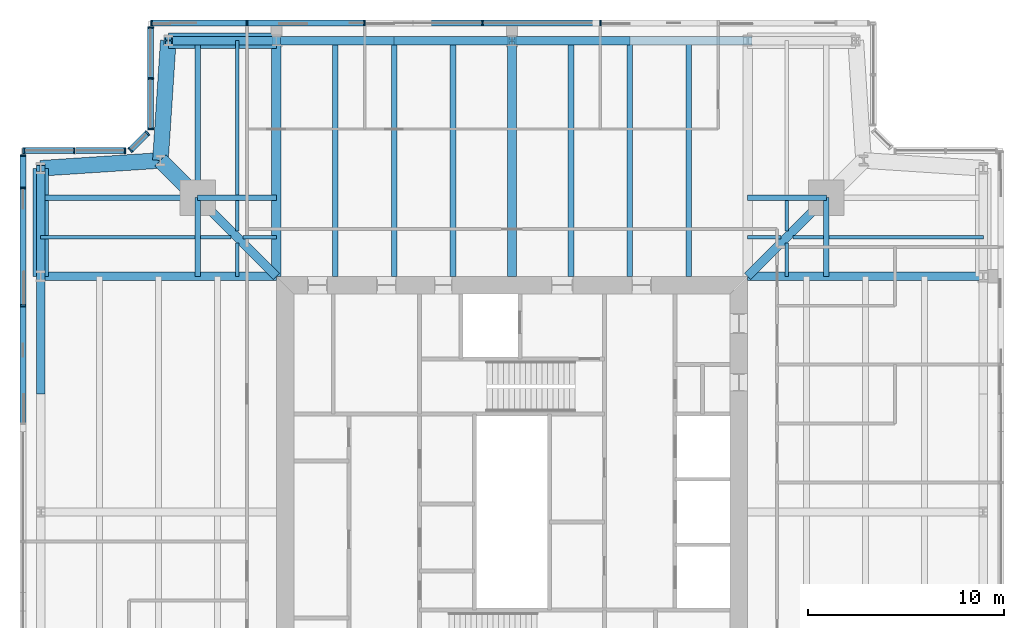
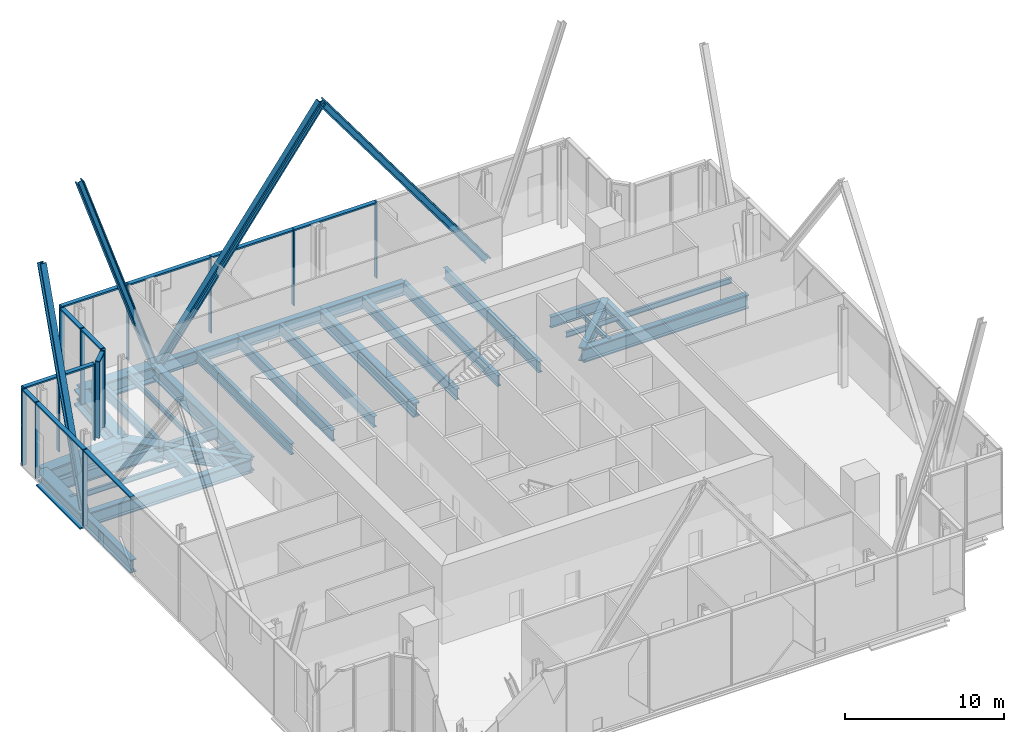
# One storey, part 5 of 20: 38 beams, 32 members, 5 elements without a shape of their own.
"""IFC4 building model written with IfcOpenShell, lengths in metres."""

from ifc_helpers import new_model, si_unit, direction, frame, origin, origin_2d, place, context, subcontext, project, spatial, rectangle, i_section, extrude, material, material_profile, profile_set, type_object, element, aggregate, save


model = new_model("IFC4")

# Units and contexts
model_context = context("Model", 3, precision=1e-05, world=origin(), true_north=direction((0.0, 1.0)))
body_context = subcontext(model_context, "Body", "Model", "MODEL_VIEW")
ifc_project = project(units=[si_unit("LENGTHUNIT", "METRE"), si_unit("AREAUNIT", "SQUARE_METRE"), si_unit("VOLUMEUNIT", "CUBIC_METRE"), si_unit("PLANEANGLEUNIT", "RADIAN"), si_unit("MASSUNIT", "GRAM", prefix="KILO")], contexts=[model_context])

# Site, building, storey
site_placement = place(None, origin())
site = spatial("IfcSite", under=ifc_project, at=site_placement, CompositionType="ELEMENT")
building_placement = place(site_placement, origin())
building = spatial("IfcBuilding", under=site, at=building_placement, Name="Fenwick Lantern Interchange", CompositionType="ELEMENT")
storey_placement = place(building_placement, frame((0.0, 0.0, 239.800048828125)))
storey = spatial("IfcBuildingStorey", under=building, at=storey_placement, Name="L56", CompositionType="ELEMENT", Elevation=239.800048828125)

# Members
ifc_material_1 = material(Name="Steel ASTM A992 Grade 50", Category="steel")
ifc_material_profile_1 = material_profile(ifc_material_1, i_section(OverallWidth=0.424072265625, OverallDepth=0.47509765625, WebThickness=0.0478515625, FlangeThickness=0.0771484375, at=origin_2d()), Name="W14X426")
ifc_profile_set_1 = profile_set([ifc_material_profile_1], Name="Steel ASTM A992 Grade 50")
member_type_1 = type_object("IfcMemberType", Name="FACADE BRACE W14X426", PredefinedType="BRACE", material=ifc_profile_set_1)
for number, where, z_axis, x_axis, name in (
    (1, (13.0, 49.0, -0.696533203125), (-0.31988030157, 0.0, 0.947457963536), (0.0, -1.0, 0.0), "L56/FB/N/BE"),
    (2, (1.0, 37.0, -0.696533203125), (0.0, 0.31988030157, 0.947457963536), (-1.0, 0.0, 0.0), "L56/FB/W/AE"),
):
    element("IfcMember", number, at=place(storey_placement, frame(where, z_axis=z_axis, x_axis=x_axis)), inside=storey, type_object=member_type_1, Name=name, PredefinedType="BRACE", context=body_context, shape_type="SweptSolid", body=[
        extrude(i_section(OverallWidth=0.424072265625, OverallDepth=0.47509765625, WebThickness=0.0478515625, FlangeThickness=0.0771484375, at=origin_2d()), origin(), (0.0, 0.0, 1.0), 17.19384765625),
    ])
ifc_material_profile_2 = material_profile(ifc_material_1, i_section(OverallWidth=0.44189453125, OverallDepth=0.53076171875, WebThickness=0.06591796875, FlangeThickness=0.105712890625, at=origin_2d()), Name="W14X605")
ifc_profile_set_2 = profile_set([ifc_material_profile_2], Name="Steel ASTM A992 Grade 50")
member_type_2 = type_object("IfcMemberType", Name="FACADE BRACE W14X605", PredefinedType="BRACE", material=ifc_profile_set_2)
for number, where, z_axis, x_axis, name in (
    (3, (37.0, 49.0, -0.696533203125), (-0.593085430779, 0.0, 0.805139535607), (0.0, -1.0, 0.0), "L56/FB/N/A"),
    (4, (13.0, 49.0, -0.696533203125), (0.593085430779, 0.0, 0.805139535607), (0.0, 1.0, 0.0), "L56/FB/N/B"),
):
    element("IfcMember", number, at=place(storey_placement, frame(where, z_axis=z_axis, x_axis=x_axis)), inside=storey, type_object=member_type_2, Name=name, PredefinedType="BRACE", context=body_context, shape_type="SweptSolid", body=[
        extrude(i_section(OverallWidth=0.44189453125, OverallDepth=0.53076171875, WebThickness=0.06591796875, FlangeThickness=0.105712890625, at=origin_2d()), origin(), (0.0, 0.0, 1.0), 20.233154296875),
    ])

# Beams
ifc_material_profile_3 = material_profile(ifc_material_1, i_section(OverallWidth=0.2919921875, OverallDepth=0.845703125, WebThickness=0.015380859375, FlangeThickness=0.0244140625, at=origin_2d()), Name="W33X141")
ifc_profile_set_3 = profile_set([ifc_material_profile_3], Name="Steel ASTM A992 Grade 50")
beam_type_1 = type_object("IfcBeamType", Name="FLOOR BEAM W33X141", PredefinedType="BEAM", material=ifc_profile_set_3)
for number, where, z_axis, x_axis, name in (
    (5, (34.0, 49.0, -0.623046875), (0.0, -1.0, 0.0), (1.0, 0.0, 0.0), "L56/FR/N/R02"),
    (6, (31.0, 49.0, -0.623046875), (0.0, -1.0, 0.0), (1.0, 0.0, 0.0), "L56/FR/N/R03"),
    (7, (28.0, 49.0, -0.623046875), (0.0, -1.0, 0.0), (1.0, 0.0, 0.0), "L56/FR/N/R04"),
    (8, (22.0, 49.0, -0.623046875), (0.0, -1.0, 0.0), (1.0, 0.0, 0.0), "L56/FR/N/R06"),
    (9, (19.0, 49.0, -0.623046875), (0.0, -1.0, 0.0), (1.0, 0.0, 0.0), "L56/FR/N/R07"),
    (10, (16.0, 49.0, -0.623046875), (0.0, -1.0, 0.0), (1.0, 0.0, 0.0), "L56/FR/N/R08"),
):
    element("IfcBeam", number, at=place(storey_placement, frame(where, z_axis=z_axis, x_axis=x_axis)), inside=storey, type_object=beam_type_1, Name=name, PredefinedType="BEAM", context=body_context, shape_type="SweptSolid", body=[
        extrude(i_section(OverallWidth=0.2919921875, OverallDepth=0.845703125, WebThickness=0.015380859375, FlangeThickness=0.0244140625, at=origin_2d()), origin(), (0.0, 0.0, 1.0), 12.0),
    ])
ifc_material_profile_4 = material_profile(ifc_material_1, i_section(OverallWidth=0.177734375, OverallDepth=0.406494140625, WebThickness=0.0078125, FlangeThickness=0.012939453125, at=origin_2d()), Name="W16X40")
ifc_profile_set_4 = profile_set([ifc_material_profile_4], Name="Steel ASTM A992 Grade 50")
beam_type_2 = type_object("IfcBeamType", Name="INFILL BEAM W16X40", PredefinedType="JOIST", material=ifc_profile_set_4)
beam_1_placement = place(storey_placement, frame((39.0, 40.85400390625, -0.4033203125), z_axis=(0.0, -1.0, 0.0), x_axis=(1.0, 0.0, 0.0)))
element("IfcBeam", 11, at=beam_1_placement, inside=storey, type_object=beam_type_2, Name="L56/FR/N/J2", PredefinedType="JOIST", context=body_context, shape_type="SweptSolid", body=[
    extrude(i_section(OverallWidth=0.177734375, OverallDepth=0.406494140625, WebThickness=0.0078125, FlangeThickness=0.012939453125, at=origin_2d()), origin(), (0.0, 0.0, 1.0), 1.537841796875),
])
beam_2_placement = place(storey_placement, frame((39.0, 38.683837890625, -0.4033203125), z_axis=(0.0, -1.0, 0.0), x_axis=(1.0, 0.0, 0.0)))
element("IfcBeam", 12, at=beam_2_placement, inside=storey, type_object=beam_type_2, Name="L56/FR/N/J6", PredefinedType="JOIST", context=body_context, shape_type="SweptSolid", body=[
    extrude(i_section(OverallWidth=0.177734375, OverallDepth=0.406494140625, WebThickness=0.0078125, FlangeThickness=0.012939453125, at=origin_2d()), origin(), (0.0, 0.0, 1.0), 1.683837890625),
])
beam_3_placement = place(storey_placement, frame((49.0, 39.0, -0.4033203125), z_axis=(-1.0, 0.0, 0.0), x_axis=(0.0, -1.0, 0.0)))
element("IfcBeam", 13, at=beam_3_placement, inside=storey, type_object=beam_type_2, Name="L56/FR/N/J3", PredefinedType="JOIST", context=body_context, shape_type="SweptSolid", body=[
    extrude(i_section(OverallWidth=0.177734375, OverallDepth=0.406494140625, WebThickness=0.0078125, FlangeThickness=0.012939453125, at=origin_2d()), origin(), (0.0, 0.0, 1.0), 7.85400390625),
])
beam_4_placement = place(storey_placement, frame((40.85400390625, 39.0, -0.4033203125), z_axis=(-1.0, 0.0, 0.0), x_axis=(0.0, -1.0, 0.0)))
element("IfcBeam", 14, at=beam_4_placement, inside=storey, type_object=beam_type_2, Name="L56/FR/N/J4", PredefinedType="JOIST", context=body_context, shape_type="SweptSolid", body=[
    extrude(i_section(OverallWidth=0.177734375, OverallDepth=0.406494140625, WebThickness=0.0078125, FlangeThickness=0.012939453125, at=origin_2d()), origin(), (0.0, 0.0, 1.0), 1.537841796875),
])
beam_5_placement = place(storey_placement, frame((38.683837890625, 39.0, -0.4033203125), z_axis=(-1.0, 0.0, 0.0), x_axis=(0.0, -1.0, 0.0)))
element("IfcBeam", 15, at=beam_5_placement, inside=storey, type_object=beam_type_2, Name="L56/FR/N/J5", PredefinedType="JOIST", context=body_context, shape_type="SweptSolid", body=[
    extrude(i_section(OverallWidth=0.177734375, OverallDepth=0.406494140625, WebThickness=0.0078125, FlangeThickness=0.012939453125, at=origin_2d()), origin(), (0.0, 0.0, 1.0), 1.683837890625),
])
beam_6_placement = place(storey_placement, frame((1.0, 39.0, -0.4033203125), z_axis=(1.0, 0.0, 0.0), x_axis=(0.0, 1.0, 0.0)))
element("IfcBeam", 16, at=beam_6_placement, inside=storey, type_object=beam_type_2, Name="L56/FR/W/J1", PredefinedType="JOIST", context=body_context, shape_type="SweptSolid", body=[
    extrude(i_section(OverallWidth=0.177734375, OverallDepth=0.406494140625, WebThickness=0.0078125, FlangeThickness=0.012939453125, at=origin_2d()), origin(), (0.0, 0.0, 1.0), 7.85400390625),
])
beam_7_placement = place(storey_placement, frame((9.14599609375, 39.0, -0.4033203125), z_axis=(1.0, 0.0, 0.0), x_axis=(0.0, 1.0, 0.0)))
element("IfcBeam", 17, at=beam_7_placement, inside=storey, type_object=beam_type_2, Name="L56/FR/W/J2", PredefinedType="JOIST", context=body_context, shape_type="SweptSolid", body=[
    extrude(i_section(OverallWidth=0.177734375, OverallDepth=0.406494140625, WebThickness=0.0078125, FlangeThickness=0.012939453125, at=origin_2d()), origin(), (0.0, 0.0, 1.0), 1.537841796875),
])
beam_8_placement = place(storey_placement, frame((11.316162109375, 39.0, -0.4033203125), z_axis=(1.0, 0.0, 0.0), x_axis=(0.0, 1.0, 0.0)))
element("IfcBeam", 18, at=beam_8_placement, inside=storey, type_object=beam_type_2, Name="L56/FR/W/J6", PredefinedType="JOIST", context=body_context, shape_type="SweptSolid", body=[
    extrude(i_section(OverallWidth=0.177734375, OverallDepth=0.406494140625, WebThickness=0.0078125, FlangeThickness=0.012939453125, at=origin_2d()), origin(), (0.0, 0.0, 1.0), 1.683837890625),
])
beam_9_placement = place(storey_placement, frame((11.0, 49.0, -0.4033203125), z_axis=(0.0, -1.0, 0.0), x_axis=(1.0, 0.0, 0.0)))
element("IfcBeam", 19, at=beam_9_placement, inside=storey, type_object=beam_type_2, Name="L56/FR/W/J3", PredefinedType="JOIST", context=body_context, shape_type="SweptSolid", body=[
    extrude(i_section(OverallWidth=0.177734375, OverallDepth=0.406494140625, WebThickness=0.0078125, FlangeThickness=0.012939453125, at=origin_2d()), origin(), (0.0, 0.0, 1.0), 7.85400390625),
])
beam_10_placement = place(storey_placement, frame((11.0, 40.85400390625, -0.4033203125), z_axis=(0.0, -1.0, 0.0), x_axis=(1.0, 0.0, 0.0)))
element("IfcBeam", 20, at=beam_10_placement, inside=storey, type_object=beam_type_2, Name="L56/FR/W/J4", PredefinedType="JOIST", context=body_context, shape_type="SweptSolid", body=[
    extrude(i_section(OverallWidth=0.177734375, OverallDepth=0.406494140625, WebThickness=0.0078125, FlangeThickness=0.012939453125, at=origin_2d()), origin(), (0.0, 0.0, 1.0), 1.537841796875),
])
beam_11_placement = place(storey_placement, frame((11.0, 38.683837890625, -0.4033203125), z_axis=(0.0, -1.0, 0.0), x_axis=(1.0, 0.0, 0.0)))
element("IfcBeam", 21, at=beam_11_placement, inside=storey, type_object=beam_type_2, Name="L56/FR/W/J5", PredefinedType="JOIST", context=body_context, shape_type="SweptSolid", body=[
    extrude(i_section(OverallWidth=0.177734375, OverallDepth=0.406494140625, WebThickness=0.0078125, FlangeThickness=0.012939453125, at=origin_2d()), origin(), (0.0, 0.0, 1.0), 1.683837890625),
])
ifc_material_profile_5 = material_profile(ifc_material_1, i_section(OverallWidth=0.2919921875, OverallDepth=0.845703125, WebThickness=0.015380859375, FlangeThickness=0.0244140625, at=origin_2d()), Name="W33X141")
ifc_profile_set_5 = profile_set([ifc_material_profile_5], Name="Steel ASTM A992 Grade 50")
beam_type_3 = type_object("IfcBeamType", Name="MEGA COLUMN BEAM W33X141", PredefinedType="BEAM", material=ifc_profile_set_5)
for number, where, z_axis, x_axis, name in (
    (22, (41.0, 41.0, -0.623046875), (-1.0, 0.0, 0.0), (0.0, -1.0, 0.0), "L56/FR/N/MB3"),
    (23, (41.0, 41.0, -0.623046875), (0.0, -1.0, 0.0), (1.0, 0.0, 0.0), "L56/FR/N/MB4"),
):
    element("IfcBeam", number, at=place(storey_placement, frame(where, z_axis=z_axis, x_axis=x_axis)), inside=storey, type_object=beam_type_3, Name=name, PredefinedType="BEAM", context=body_context, shape_type="SweptSolid", body=[
        extrude(i_section(OverallWidth=0.2919921875, OverallDepth=0.845703125, WebThickness=0.015380859375, FlangeThickness=0.0244140625, at=origin_2d()), origin(), (0.0, 0.0, 1.0), 4.0),
    ])
for number, where, z_axis, x_axis, name in (
    (24, (9.0, 41.0, -0.623046875), (-1.0, 0.0, 0.0), (0.0, -1.0, 0.0), "L56/FR/W/MB1"),
    (25, (9.0, 41.0, -0.623046875), (0.0, 1.0, 0.0), (-1.0, 0.0, 0.0), "L56/FR/W/MB2"),
):
    element("IfcBeam", number, at=place(storey_placement, frame(where, z_axis=z_axis, x_axis=x_axis)), inside=storey, type_object=beam_type_3, Name=name, PredefinedType="BEAM", context=body_context, shape_type="SweptSolid", body=[
        extrude(i_section(OverallWidth=0.2919921875, OverallDepth=0.845703125, WebThickness=0.015380859375, FlangeThickness=0.0244140625, at=origin_2d()), origin(), (0.0, 0.0, 1.0), 8.0),
    ])
for number, where, z_axis, x_axis, name in (
    (26, (9.0, 41.0, -0.623046875), (0.0, -1.0, 0.0), (1.0, 0.0, 0.0), "L56/FR/W/MB3"),
    (27, (9.0, 41.0, -0.623046875), (1.0, 0.0, 0.0), (0.0, 1.0, 0.0), "L56/FR/W/MB4"),
):
    element("IfcBeam", number, at=place(storey_placement, frame(where, z_axis=z_axis, x_axis=x_axis)), inside=storey, type_object=beam_type_3, Name=name, PredefinedType="BEAM", context=body_context, shape_type="SweptSolid", body=[
        extrude(i_section(OverallWidth=0.2919921875, OverallDepth=0.845703125, WebThickness=0.015380859375, FlangeThickness=0.0244140625, at=origin_2d()), origin(), (0.0, 0.0, 1.0), 4.0),
    ])
ifc_material_profile_6 = material_profile(ifc_material_1, i_section(OverallWidth=0.447021484375, OverallDepth=1.0439453125, WebThickness=0.050048828125, FlangeThickness=0.08984375, at=origin_2d()), Name="W36X652")
ifc_profile_set_6 = profile_set([ifc_material_profile_6], Name="Steel ASTM A992 Grade 50")
beam_type_4 = type_object("IfcBeamType", Name="MOMENT-CONNECTED GIRDER W36X652", PredefinedType="BEAM", material=ifc_profile_set_6)
for number, where, z_axis, x_axis, name in (
    (28, (49.0, 37.0, -0.721923828125), (-1.0, 0.0, 0.0), (0.0, -1.0, 0.0), "L56/FR/E/R03"),
    (29, (1.0, 37.0, -0.721923828125), (1.0, 0.0, 0.0), (0.0, 1.0, 0.0), "L56/FR/W/R01"),
):
    element("IfcBeam", number, at=place(storey_placement, frame(where, z_axis=z_axis, x_axis=x_axis)), inside=storey, type_object=beam_type_4, Name=name, PredefinedType="BEAM", context=body_context, shape_type="SweptSolid", body=[
        extrude(i_section(OverallWidth=0.447021484375, OverallDepth=1.0439453125, WebThickness=0.050048828125, FlangeThickness=0.08984375, at=origin_2d()), origin(), (0.0, 0.0, 1.0), 12.0),
    ])
ifc_material_profile_7 = material_profile(ifc_material_1, i_section(OverallWidth=0.472412109375, OverallDepth=1.0947265625, WebThickness=0.07666015625, FlangeThickness=0.114990234375, at=origin_2d()), Name="W36X925")
ifc_profile_set_7 = profile_set([ifc_material_profile_7], Name="Steel ASTM A992 Grade 50")
beam_type_5 = type_object("IfcBeamType", Name="MOMENT-CONNECTED GIRDER W36X925", PredefinedType="BEAM", material=ifc_profile_set_7)
for number, where, z_axis, x_axis, name in (
    (30, (25.0, 49.0, -0.747314453125), (0.0, -1.0, 0.0), (1.0, 0.0, 0.0), "L56/FR/N/R05"),
    (31, (13.0, 49.0, -0.747314453125), (0.0, -1.0, 0.0), (1.0, 0.0, 0.0), "L56/FR/N/R09"),
):
    element("IfcBeam", number, at=place(storey_placement, frame(where, z_axis=z_axis, x_axis=x_axis)), inside=storey, type_object=beam_type_5, Name=name, PredefinedType="BEAM", context=body_context, shape_type="SweptSolid", body=[
        extrude(i_section(OverallWidth=0.472412109375, OverallDepth=1.0947265625, WebThickness=0.07666015625, FlangeThickness=0.114990234375, at=origin_2d()), origin(), (0.0, 0.0, 1.0), 12.0),
    ])
ifc_material_2 = material(Name="Steel ASTM A572 Grade 42", Category="steel")
ifc_material_profile_8 = material_profile(ifc_material_2, i_section(OverallWidth=0.800048828125, OverallDepth=1.199951171875, WebThickness=0.06005859375, FlangeThickness=0.1201171875, at=origin_2d()), Name="BU1200X800")
ifc_profile_set_8 = profile_set([ifc_material_profile_8], Name="Steel ASTM A572 Grade 42")
beam_type_6 = type_object("IfcBeamType", Name="MOMENT-CONNECTED TRANSFER GIRDER BU1200X800", PredefinedType="BEAM", material=ifc_profile_set_8)
beam_12_placement = place(storey_placement, frame((13.0, 49.0, -0.800048828125), z_axis=(-1.0, 0.0, 0.0), x_axis=(0.0, -1.0, 0.0)))
element("IfcBeam", 32, at=beam_12_placement, inside=storey, type_object=beam_type_6, Name="L56/FR/N/EB6", PredefinedType="BEAM", context=body_context, shape_type="SweptSolid", body=[
    extrude(i_section(OverallWidth=0.800048828125, OverallDepth=1.199951171875, WebThickness=0.06005859375, FlangeThickness=0.1201171875, at=origin_2d()), origin(), (0.0, 0.0, 1.0), 5.5),
])
for number, where, z_axis, x_axis, name in (
    (33, (7.5, 49.0, -0.800048828125), (-0.065416293237, -0.997858060337, 0.0), (0.997858060337, -0.065416293237, 0.0), "L56/FR/N/EBR1"),
    (34, (7.10009765625, 42.89990234375, -0.800048828125), (-0.997858060337, -0.065416293237, 0.0), (0.065416293237, -0.997858060337, 0.0), "L56/FR/N/EBR2"),
):
    element("IfcBeam", number, at=place(storey_placement, frame(where, z_axis=z_axis, x_axis=x_axis)), inside=storey, type_object=beam_type_6, Name=name, PredefinedType="BEAM", context=body_context, shape_type="SweptSolid", body=[
        extrude(i_section(OverallWidth=0.800048828125, OverallDepth=1.199951171875, WebThickness=0.06005859375, FlangeThickness=0.1201171875, at=origin_2d()), origin(), (0.0, 0.0, 1.0), 6.11328125),
    ])
beam_13_placement = place(storey_placement, frame((1.0, 42.5, -0.800048828125), z_axis=(0.0, -1.0, 0.0), x_axis=(1.0, 0.0, 0.0)))
element("IfcBeam", 35, at=beam_13_placement, inside=storey, type_object=beam_type_6, Name="L56/FR/W/EB1", PredefinedType="BEAM", context=body_context, shape_type="SweptSolid", body=[
    extrude(i_section(OverallWidth=0.800048828125, OverallDepth=1.199951171875, WebThickness=0.06005859375, FlangeThickness=0.1201171875, at=origin_2d()), origin(), (0.0, 0.0, 1.0), 5.5),
])
beam_14_placement = place(storey_placement, frame((9.0, 41.0, -0.800048828125), z_axis=(-0.707106781187, 0.707106781187, 0.0), x_axis=(-0.707106781187, -0.707106781187, 0.0)))
element("IfcBeam", 36, at=beam_14_placement, inside=storey, type_object=beam_type_6, Name="L56/FR/W/TG", PredefinedType="BEAM", context=body_context, shape_type="SweptSolid", body=[
    extrude(i_section(OverallWidth=0.800048828125, OverallDepth=1.199951171875, WebThickness=0.06005859375, FlangeThickness=0.1201171875, at=origin_2d()), origin(), (0.0, 0.0, 1.0), 2.686767578125),
])
ifc_material_profile_9 = material_profile(ifc_material_1, i_section(OverallWidth=0.447021484375, OverallDepth=1.0439453125, WebThickness=0.050048828125, FlangeThickness=0.08984375, at=origin_2d()), Name="W36X652")
ifc_profile_set_9 = profile_set([ifc_material_profile_9], Name="Steel ASTM A992 Grade 50")
beam_type_7 = type_object("IfcBeamType", Name="OUTRIGGER CHORD W36X652", PredefinedType="BEAM", material=ifc_profile_set_9)
for number, where, z_axis, x_axis, name in (
    (37, (37.0, 37.0, -0.721923828125), (0.707106781187, 0.707106781187, 0.0), (-0.707106781187, 0.707106781187, 0.0), "L56/OR/N/TC"),
    (38, (13.0, 37.0, -0.721923828125), (-0.707106781187, 0.707106781187, 0.0), (-0.707106781187, -0.707106781187, 0.0), "L56/OR/W/TC"),
):
    element("IfcBeam", number, at=place(storey_placement, frame(where, z_axis=z_axis, x_axis=x_axis)), inside=storey, type_object=beam_type_7, Name=name, PredefinedType="BEAM", context=body_context, shape_type="SweptSolid", body=[
        extrude(i_section(OverallWidth=0.447021484375, OverallDepth=1.0439453125, WebThickness=0.050048828125, FlangeThickness=0.08984375, at=origin_2d()), origin(), (0.0, 0.0, 1.0), 5.65673828125),
    ])

# Curtain wall, members
ifc_material_3 = material(Name="Aluminium curtain wall frame", Category="aluminium")
curtain_wall_type = type_object("IfcCurtainWallType", Name="SKY LOBBY GLAZING", PredefinedType="USERDEFINED", material=ifc_material_3)
curtain_wall_1_placement = place(storey_placement, origin())
curtain_wall_1 = element("IfcCurtainWall", 39, at=curtain_wall_1_placement, inside=storey, type_object=curtain_wall_type, Name="Sky lobby glazing 09", ObjectType="SKY LOBBY GLAZING", PredefinedType="USERDEFINED")
ifc_material_4 = material(Name="Aluminium extrusion", Category="aluminium")
ifc_material_profile_10 = material_profile(ifc_material_4, rectangle(XDim=0.300048828125, YDim=0.080078125, at=origin_2d()), Name="SKY LOBBY GLAZING MULLION 80 X 300")
ifc_profile_set_10 = profile_set([ifc_material_profile_10], Name="Aluminium extrusion")
member_type_3 = type_object("IfcMemberType", Name="SKY LOBBY GLAZING MULLION 80 X 300", PredefinedType="MULLION", material=ifc_profile_set_10)
member_1_placement = place(storey_placement, frame((29.5, 49.89990234375, 0.0), z_axis=(0.0, 0.0, 1.0), x_axis=(0.0, -1.0, 0.0)))
member_1 = element("IfcMember", 40, at=member_1_placement, type_object=member_type_3, Name="L56/CW/09/M03", PredefinedType="MULLION", context=body_context, shape_type="SweptSolid", body=[
    extrude(rectangle(XDim=0.300048828125, YDim=0.080078125, at=origin_2d()), origin(), (0.0, 0.0, 1.0), 5.849853515625),
])
member_2_placement = place(storey_placement, frame((23.5, 49.89990234375, 0.0), z_axis=(0.0, 0.0, 1.0), x_axis=(0.0, -1.0, 0.0)))
member_2 = element("IfcMember", 41, at=member_2_placement, type_object=member_type_3, Name="L56/CW/09/M04", PredefinedType="MULLION", context=body_context, shape_type="SweptSolid", body=[
    extrude(rectangle(XDim=0.300048828125, YDim=0.080078125, at=origin_2d()), origin(), (0.0, 0.0, 1.0), 5.849853515625),
])
member_3_placement = place(storey_placement, frame((17.5, 49.89990234375, 0.0), z_axis=(0.0, 0.0, 1.0), x_axis=(0.0, -1.0, 0.0)))
member_3 = element("IfcMember", 42, at=member_3_placement, type_object=member_type_3, Name="L56/CW/09/M05", PredefinedType="MULLION", context=body_context, shape_type="SweptSolid", body=[
    extrude(rectangle(XDim=0.300048828125, YDim=0.080078125, at=origin_2d()), origin(), (0.0, 0.0, 1.0), 5.849853515625),
])
member_4_placement = place(storey_placement, frame((11.5, 49.89990234375, 0.0), z_axis=(0.0, 0.0, 1.0), x_axis=(0.0, -1.0, 0.0)))
member_4 = element("IfcMember", 43, at=member_4_placement, type_object=member_type_3, Name="L56/CW/09/M06", PredefinedType="MULLION", context=body_context, shape_type="SweptSolid", body=[
    extrude(rectangle(XDim=0.300048828125, YDim=0.080078125, at=origin_2d()), origin(), (0.0, 0.0, 1.0), 5.849853515625),
])
member_5_placement = place(storey_placement, frame((6.639892578125, 49.89990234375, 0.0), z_axis=(0.0, 0.0, 1.0), x_axis=(0.0, -1.0, 0.0)))
member_5 = element("IfcMember", 44, at=member_5_placement, type_object=member_type_3, Name="L56/CW/09/M07", PredefinedType="MULLION", context=body_context, shape_type="SweptSolid", body=[
    extrude(rectangle(XDim=0.300048828125, YDim=0.080078125, at=origin_2d()), origin(), (0.0, 0.0, 1.0), 5.849853515625),
])

curtain_wall_2_placement = place(storey_placement, origin())
curtain_wall_2 = element("IfcCurtainWall", 45, at=curtain_wall_2_placement, inside=storey, type_object=curtain_wall_type, Name="Sky lobby glazing 10", ObjectType="SKY LOBBY GLAZING", PredefinedType="USERDEFINED")
member_6_placement = place(storey_placement, frame((6.60009765625, 49.659912109375, 0.0), z_axis=(0.0, 0.0, 1.0), x_axis=(1.0, 0.0, 0.0)))
member_6 = element("IfcMember", 46, at=member_6_placement, type_object=member_type_3, Name="L56/CW/10/M00", PredefinedType="MULLION", context=body_context, shape_type="SweptSolid", body=[
    extrude(rectangle(XDim=0.300048828125, YDim=0.080078125, at=origin_2d()), origin(), (0.0, 0.0, 1.0), 5.849853515625),
])
member_7_placement = place(storey_placement, frame((6.60009765625, 47.079345703125, 0.0), z_axis=(0.0, 0.0, 1.0), x_axis=(1.0, 0.0, 0.0)))
member_7 = element("IfcMember", 47, at=member_7_placement, type_object=member_type_3, Name="L56/CW/10/M01", PredefinedType="MULLION", context=body_context, shape_type="SweptSolid", body=[
    extrude(rectangle(XDim=0.300048828125, YDim=0.080078125, at=origin_2d()), origin(), (0.0, 0.0, 1.0), 5.849853515625),
])
member_8_placement = place(storey_placement, frame((6.60009765625, 44.49853515625, 0.0), z_axis=(0.0, 0.0, 1.0), x_axis=(1.0, 0.0, 0.0)))
member_8 = element("IfcMember", 48, at=member_8_placement, type_object=member_type_3, Name="L56/CW/10/M02", PredefinedType="MULLION", context=body_context, shape_type="SweptSolid", body=[
    extrude(rectangle(XDim=0.300048828125, YDim=0.080078125, at=origin_2d()), origin(), (0.0, 0.0, 1.0), 5.849853515625),
])

curtain_wall_3_placement = place(storey_placement, origin())
curtain_wall_3 = element("IfcCurtainWall", 49, at=curtain_wall_3_placement, inside=storey, type_object=curtain_wall_type, Name="Sky lobby glazing 11", ObjectType="SKY LOBBY GLAZING", PredefinedType="USERDEFINED")
member_9_placement = place(storey_placement, frame((6.43017578125, 44.288818359375, 0.0), z_axis=(0.0, 0.0, 1.0), x_axis=(0.707106781187, -0.707106781187, 0.0)))
member_9 = element("IfcMember", 50, at=member_9_placement, type_object=member_type_3, Name="L56/CW/11/M00", PredefinedType="MULLION", context=body_context, shape_type="SweptSolid", body=[
    extrude(rectangle(XDim=0.300048828125, YDim=0.080078125, at=origin_2d()), origin(), (0.0, 0.0, 1.0), 5.849853515625),
])
member_10_placement = place(storey_placement, frame((5.56982421875, 43.42822265625, 0.0), z_axis=(0.0, 0.0, 1.0), x_axis=(0.707106781187, -0.707106781187, 0.0)))
member_10 = element("IfcMember", 51, at=member_10_placement, type_object=member_type_3, Name="L56/CW/11/M01", PredefinedType="MULLION", context=body_context, shape_type="SweptSolid", body=[
    extrude(rectangle(XDim=0.300048828125, YDim=0.080078125, at=origin_2d()), origin(), (0.0, 0.0, 1.0), 5.849853515625),
])

curtain_wall_4_placement = place(storey_placement, origin())
curtain_wall_4 = element("IfcCurtainWall", 52, at=curtain_wall_4_placement, inside=storey, type_object=curtain_wall_type, Name="Sky lobby glazing 12", ObjectType="SKY LOBBY GLAZING", PredefinedType="USERDEFINED")
member_11_placement = place(storey_placement, frame((5.301513671875, 43.39990234375, 0.0), z_axis=(0.0, 0.0, 1.0), x_axis=(0.0, -1.0, 0.0)))
member_11 = element("IfcMember", 53, at=member_11_placement, type_object=member_type_3, Name="L56/CW/12/M00", PredefinedType="MULLION", context=body_context, shape_type="SweptSolid", body=[
    extrude(rectangle(XDim=0.300048828125, YDim=0.080078125, at=origin_2d()), origin(), (0.0, 0.0, 1.0), 5.849853515625),
])
member_12_placement = place(storey_placement, frame((2.720703125, 43.39990234375, 0.0), z_axis=(0.0, 0.0, 1.0), x_axis=(0.0, -1.0, 0.0)))
member_12 = element("IfcMember", 54, at=member_12_placement, type_object=member_type_3, Name="L56/CW/12/M01", PredefinedType="MULLION", context=body_context, shape_type="SweptSolid", body=[
    extrude(rectangle(XDim=0.300048828125, YDim=0.080078125, at=origin_2d()), origin(), (0.0, 0.0, 1.0), 5.849853515625),
])
member_13_placement = place(storey_placement, frame((0.139892578125, 43.39990234375, 0.0), z_axis=(0.0, 0.0, 1.0), x_axis=(0.0, -1.0, 0.0)))
member_13 = element("IfcMember", 55, at=member_13_placement, type_object=member_type_3, Name="L56/CW/12/M02", PredefinedType="MULLION", context=body_context, shape_type="SweptSolid", body=[
    extrude(rectangle(XDim=0.300048828125, YDim=0.080078125, at=origin_2d()), origin(), (0.0, 0.0, 1.0), 5.849853515625),
])

curtain_wall_5_placement = place(storey_placement, origin())
curtain_wall_5 = element("IfcCurtainWall", 56, at=curtain_wall_5_placement, inside=storey, type_object=curtain_wall_type, Name="Sky lobby glazing 13", ObjectType="SKY LOBBY GLAZING", PredefinedType="USERDEFINED")
member_14_placement = place(storey_placement, frame((0.10009765625, 43.159912109375, 0.0), z_axis=(0.0, 0.0, 1.0), x_axis=(1.0, 0.0, 0.0)))
member_14 = element("IfcMember", 57, at=member_14_placement, type_object=member_type_3, Name="L56/CW/13/M00", PredefinedType="MULLION", context=body_context, shape_type="SweptSolid", body=[
    extrude(rectangle(XDim=0.300048828125, YDim=0.080078125, at=origin_2d()), origin(), (0.0, 0.0, 1.0), 5.849853515625),
])
member_15_placement = place(storey_placement, frame((0.10009765625, 41.5, 0.0), z_axis=(0.0, 0.0, 1.0), x_axis=(1.0, 0.0, 0.0)))
member_15 = element("IfcMember", 58, at=member_15_placement, type_object=member_type_3, Name="L56/CW/13/M01", PredefinedType="MULLION", context=body_context, shape_type="SweptSolid", body=[
    extrude(rectangle(XDim=0.300048828125, YDim=0.080078125, at=origin_2d()), origin(), (0.0, 0.0, 1.0), 5.849853515625),
])
member_16_placement = place(storey_placement, frame((0.10009765625, 35.5, 0.0), z_axis=(0.0, 0.0, 1.0), x_axis=(1.0, 0.0, 0.0)))
member_16 = element("IfcMember", 59, at=member_16_placement, type_object=member_type_3, Name="L56/CW/13/M02", PredefinedType="MULLION", context=body_context, shape_type="SweptSolid", body=[
    extrude(rectangle(XDim=0.300048828125, YDim=0.080078125, at=origin_2d()), origin(), (0.0, 0.0, 1.0), 5.849853515625),
])

# Member
ifc_material_profile_11 = material_profile(ifc_material_4, rectangle(XDim=0.300048828125, YDim=0.1201171875, at=origin_2d()), Name="SKY LOBBY GLAZING TRANSOM 120 X 300")
ifc_profile_set_11 = profile_set([ifc_material_profile_11], Name="Aluminium extrusion")
member_type_4 = type_object("IfcMemberType", Name="SKY LOBBY GLAZING TRANSOM 120 X 300", PredefinedType="MULLION", material=ifc_profile_set_11)
member_17_placement = place(storey_placement, frame((29.4599609375, 49.89990234375, 5.7900390625), z_axis=(-1.0, 0.0, 0.0), x_axis=(0.0, -1.0, 0.0)))
member_17 = element("IfcMember", 60, at=member_17_placement, type_object=member_type_4, Name="L56/CW/09/T03", PredefinedType="MULLION", context=body_context, shape_type="SweptSolid", body=[
    extrude(rectangle(XDim=0.300048828125, YDim=0.1201171875, at=origin_2d()), origin(), (0.0, 0.0, 1.0), 5.919921875),
])

member_18_placement = place(storey_placement, frame((23.4599609375, 49.89990234375, 5.7900390625), z_axis=(-1.0, 0.0, 0.0), x_axis=(0.0, -1.0, 0.0)))
member_18 = element("IfcMember", 61, at=member_18_placement, type_object=member_type_4, Name="L56/CW/09/T04", PredefinedType="MULLION", context=body_context, shape_type="SweptSolid", body=[
    extrude(rectangle(XDim=0.300048828125, YDim=0.1201171875, at=origin_2d()), origin(), (0.0, 0.0, 1.0), 5.919921875),
])

member_19_placement = place(storey_placement, frame((17.4599609375, 49.89990234375, 5.7900390625), z_axis=(-1.0, 0.0, 0.0), x_axis=(0.0, -1.0, 0.0)))
member_19 = element("IfcMember", 62, at=member_19_placement, type_object=member_type_4, Name="L56/CW/09/T05", PredefinedType="MULLION", context=body_context, shape_type="SweptSolid", body=[
    extrude(rectangle(XDim=0.300048828125, YDim=0.1201171875, at=origin_2d()), origin(), (0.0, 0.0, 1.0), 5.919921875),
])

member_20_placement = place(storey_placement, frame((11.4599609375, 49.89990234375, 5.7900390625), z_axis=(-1.0, 0.0, 0.0), x_axis=(0.0, -1.0, 0.0)))
member_20 = element("IfcMember", 63, at=member_20_placement, type_object=member_type_4, Name="L56/CW/09/T06", PredefinedType="MULLION", context=body_context, shape_type="SweptSolid", body=[
    extrude(rectangle(XDim=0.300048828125, YDim=0.1201171875, at=origin_2d()), origin(), (0.0, 0.0, 1.0), 4.780029296875),
])

aggregate(curtain_wall_1, [member_1, member_2, member_3, member_4, member_5, member_17, member_18, member_19, member_20])

member_21_placement = place(storey_placement, frame((6.60009765625, 49.6201171875, 5.7900390625), z_axis=(0.0, -1.0, 0.0), x_axis=(1.0, 0.0, 0.0)))
member_21 = element("IfcMember", 64, at=member_21_placement, type_object=member_type_4, Name="L56/CW/10/T00", PredefinedType="MULLION", context=body_context, shape_type="SweptSolid", body=[
    extrude(rectangle(XDim=0.300048828125, YDim=0.1201171875, at=origin_2d()), origin(), (0.0, 0.0, 1.0), 2.500732421875),
])

member_22_placement = place(storey_placement, frame((6.60009765625, 47.039306640625, 5.7900390625), z_axis=(0.0, -1.0, 0.0), x_axis=(1.0, 0.0, 0.0)))
member_22 = element("IfcMember", 65, at=member_22_placement, type_object=member_type_4, Name="L56/CW/10/T01", PredefinedType="MULLION", context=body_context, shape_type="SweptSolid", body=[
    extrude(rectangle(XDim=0.300048828125, YDim=0.1201171875, at=origin_2d()), origin(), (0.0, 0.0, 1.0), 2.500732421875),
])

aggregate(curtain_wall_2, [member_6, member_7, member_8, member_21, member_22])

member_23_placement = place(storey_placement, frame((6.402099609375, 44.260498046875, 5.7900390625), z_axis=(-0.707214121873, -0.706999424203, 0.0), x_axis=(0.706999424203, -0.707214121873, 0.0)))
member_23 = element("IfcMember", 66, at=member_23_placement, type_object=member_type_4, Name="L56/CW/11/T00", PredefinedType="MULLION", context=body_context, shape_type="SweptSolid", body=[
    extrude(rectangle(XDim=0.300048828125, YDim=0.1201171875, at=origin_2d()), origin(), (0.0, 0.0, 1.0), 1.13720703125),
])

aggregate(curtain_wall_3, [member_9, member_10, member_23])

member_24_placement = place(storey_placement, frame((5.261474609375, 43.39990234375, 5.7900390625), z_axis=(-1.0, 0.0, 0.0), x_axis=(0.0, -1.0, 0.0)))
member_24 = element("IfcMember", 67, at=member_24_placement, type_object=member_type_4, Name="L56/CW/12/T00", PredefinedType="MULLION", context=body_context, shape_type="SweptSolid", body=[
    extrude(rectangle(XDim=0.300048828125, YDim=0.1201171875, at=origin_2d()), origin(), (0.0, 0.0, 1.0), 2.500732421875),
])

member_25_placement = place(storey_placement, frame((2.6806640625, 43.39990234375, 5.7900390625), z_axis=(-1.0, 0.0, 0.0), x_axis=(0.0, -1.0, 0.0)))
member_25 = element("IfcMember", 68, at=member_25_placement, type_object=member_type_4, Name="L56/CW/12/T01", PredefinedType="MULLION", context=body_context, shape_type="SweptSolid", body=[
    extrude(rectangle(XDim=0.300048828125, YDim=0.1201171875, at=origin_2d()), origin(), (0.0, 0.0, 1.0), 2.500732421875),
])

aggregate(curtain_wall_4, [member_11, member_12, member_13, member_24, member_25])

member_26_placement = place(storey_placement, frame((0.10009765625, 43.1201171875, 5.7900390625), z_axis=(0.0, -1.0, 0.0), x_axis=(1.0, 0.0, 0.0)))
member_26 = element("IfcMember", 69, at=member_26_placement, type_object=member_type_4, Name="L56/CW/13/T00", PredefinedType="MULLION", context=body_context, shape_type="SweptSolid", body=[
    extrude(rectangle(XDim=0.300048828125, YDim=0.1201171875, at=origin_2d()), origin(), (0.0, 0.0, 1.0), 1.580078125),
])

member_27_placement = place(storey_placement, frame((0.10009765625, 41.4599609375, 5.7900390625), z_axis=(0.0, -1.0, 0.0), x_axis=(1.0, 0.0, 0.0)))
member_27 = element("IfcMember", 70, at=member_27_placement, type_object=member_type_4, Name="L56/CW/13/T01", PredefinedType="MULLION", context=body_context, shape_type="SweptSolid", body=[
    extrude(rectangle(XDim=0.300048828125, YDim=0.1201171875, at=origin_2d()), origin(), (0.0, 0.0, 1.0), 5.919921875),
])

member_28_placement = place(storey_placement, frame((0.10009765625, 35.4599609375, 5.7900390625), z_axis=(0.0, -1.0, 0.0), x_axis=(1.0, 0.0, 0.0)))
member_28 = element("IfcMember", 71, at=member_28_placement, type_object=member_type_4, Name="L56/CW/13/T02", PredefinedType="MULLION", context=body_context, shape_type="SweptSolid", body=[
    extrude(rectangle(XDim=0.300048828125, YDim=0.1201171875, at=origin_2d()), origin(), (0.0, 0.0, 1.0), 5.919921875),
])

aggregate(curtain_wall_5, [member_14, member_15, member_16, member_26, member_27, member_28])

# Beams
ifc_material_profile_12 = material_profile(ifc_material_1, i_section(OverallWidth=0.434326171875, OverallDepth=0.9931640625, WebThickness=0.0380859375, FlangeThickness=0.06396484375, at=origin_2d()), Name="W36X487")
ifc_profile_set_12 = profile_set([ifc_material_profile_12], Name="Steel ASTM A992 Grade 50")
beam_type_8 = type_object("IfcBeamType", Name="TRUSS CHORD EDGE BEAM W36X487", PredefinedType="BEAM", material=ifc_profile_set_12)
for number, where, z_axis, x_axis, name in (
    (72, (31.0, 49.0, -0.696533203125), (-1.0, 0.0, 0.0), (0.0, -1.0, 0.0), "L56/FR/N/EB3"),
    (73, (25.0, 49.0, -0.696533203125), (-1.0, 0.0, 0.0), (0.0, -1.0, 0.0), "L56/FR/N/EB4"),
    (74, (19.0, 49.0, -0.696533203125), (-1.0, 0.0, 0.0), (0.0, -1.0, 0.0), "L56/FR/N/EB5"),
    (75, (1.0, 37.0, -0.696533203125), (0.0, -1.0, 0.0), (1.0, 0.0, 0.0), "L56/FR/W/EB2"),
):
    element("IfcBeam", number, at=place(storey_placement, frame(where, z_axis=z_axis, x_axis=x_axis)), inside=storey, type_object=beam_type_8, Name=name, PredefinedType="BEAM", context=body_context, shape_type="SweptSolid", body=[
        extrude(i_section(OverallWidth=0.434326171875, OverallDepth=0.9931640625, WebThickness=0.0380859375, FlangeThickness=0.06396484375, at=origin_2d()), origin(), (0.0, 0.0, 1.0), 6.0),
    ])

save(model, "model.ifc")
